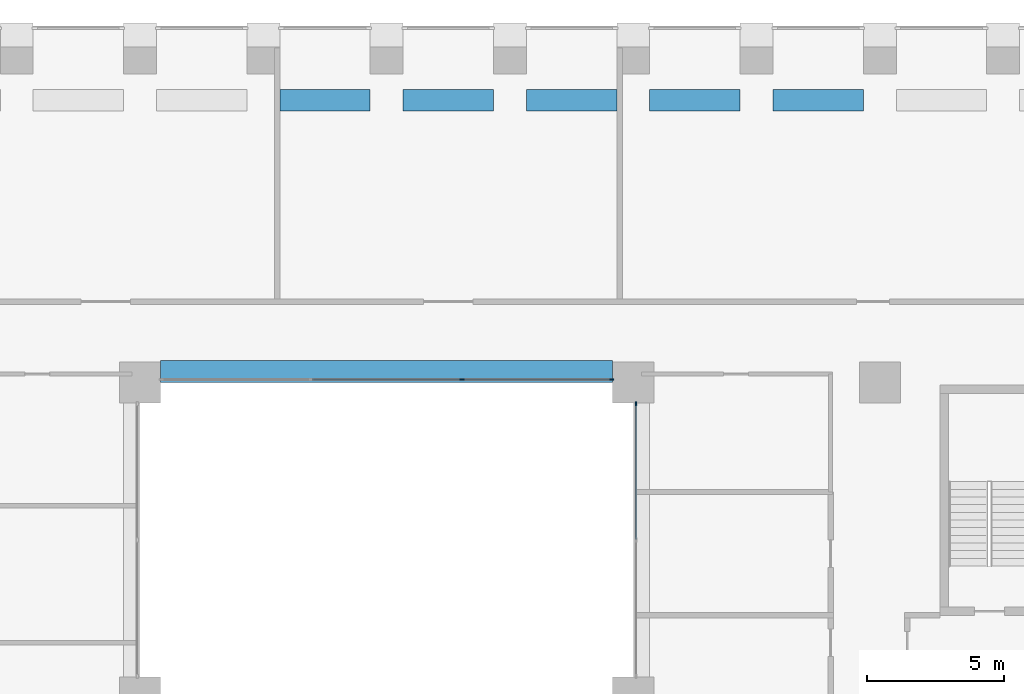
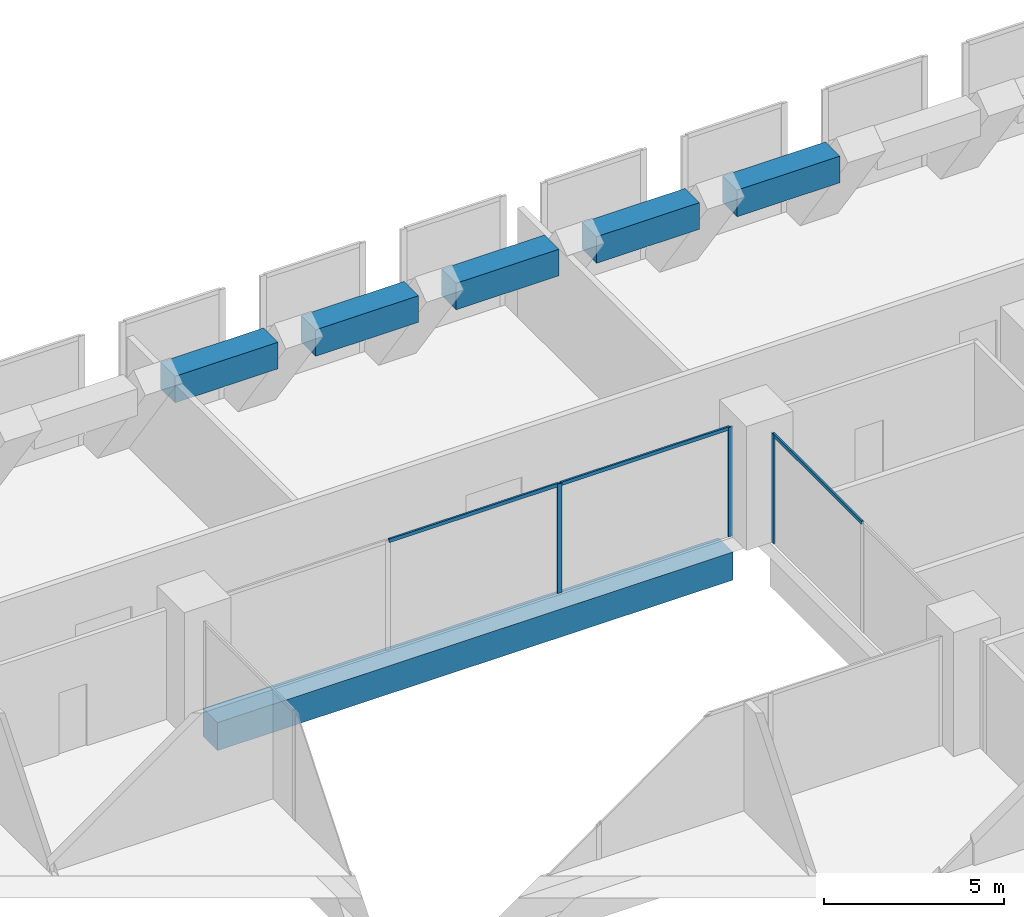
# One storey, part 8 of 20: 6 beams, 6 members, 2 elements without a shape of their own.
"""IFC4 building model written with IfcOpenShell, lengths in metres."""

from ifc_helpers import new_model, si_unit, direction, frame, origin, origin_2d, place, context, subcontext, project, spatial, rectangle, extrude, material, layer, layer_set, material_profile, profile_set, type_object, element, aggregate, save


model = new_model("IFC4")

# Units and contexts
model_context = context("Model", 3, precision=1e-05, world=origin(), true_north=direction((0.0, 1.0)))
body_context = subcontext(model_context, "Body", "Model", "MODEL_VIEW")
ifc_project = project(units=[si_unit("LENGTHUNIT", "METRE"), si_unit("AREAUNIT", "SQUARE_METRE"), si_unit("VOLUMEUNIT", "CUBIC_METRE"), si_unit("PLANEANGLEUNIT", "RADIAN"), si_unit("MASSUNIT", "GRAM", prefix="KILO")], contexts=[model_context])

# Site, building, storey
site_placement = place(None, origin())
site = spatial("IfcSite", under=ifc_project, at=site_placement, CompositionType="ELEMENT")
building_placement = place(site_placement, origin())
building = spatial("IfcBuilding", under=site, at=building_placement, Name="Brigalow Station Residences", CompositionType="ELEMENT")
storey_placement = place(building_placement, frame((0.0, 0.0, 73.050048828125)))
storey = spatial("IfcBuildingStorey", under=building, at=storey_placement, Name="L21", CompositionType="ELEMENT", Elevation=73.050048828125)

# Beam
ifc_material_1 = material(Name="Concrete C65", Category="concrete")
ifc_material_profile_1 = material_profile(ifc_material_1, rectangle(XDim=0.800048828125, YDim=0.949951171875, at=origin_2d()), Name="RC800x950")
ifc_profile_set_1 = profile_set([ifc_material_profile_1], Name="Concrete C65")
beam_type_1 = type_object("IfcBeamType", Name="ATRIUM EDGE GIRDER OVER 13.5 M SPAN 800x950 C65", PredefinedType="BEAM", material=ifc_profile_set_1)
beam_placement = place(storey_placement, frame((27.75, 35.89990234375, -0.97509765625), z_axis=(1.0, 0.0, 0.0), x_axis=(0.0, 1.0, 0.0)))
element("IfcBeam", 1, at=beam_placement, inside=storey, type_object=beam_type_1, Name="ATRIUM EDGE GIRDER D L21", PredefinedType="BEAM", context=body_context, shape_type="SweptSolid", body=[
    extrude(rectangle(XDim=0.800048828125, YDim=0.949951171875, at=origin_2d()), origin(), (0.0, 0.0, 1.0), 16.5),
])

# Curtain wall, member
ifc_material_2 = material(Name="Aluminium", Category="aluminium")
ifc_layer = layer(ifc_material_2, 0.14990234375)
ifc_layer_set = layer_set([ifc_layer], Name="ATRIUM FIRE-RATED GLAZING CURTAIN WALL")
curtain_wall_type = type_object("IfcCurtainWallType", Name="ATRIUM FIRE-RATED GLAZING CURTAIN WALL", PredefinedType="NOTDEFINED", material=ifc_layer_set)
curtain_wall_1_placement = place(storey_placement, origin())
curtain_wall_1 = element("IfcCurtainWall", 2, at=curtain_wall_1_placement, inside=storey, type_object=curtain_wall_type, Name="L21/cw/atrium-E", PredefinedType="NOTDEFINED")
ifc_material_3 = material(Name="Aluminium", Category="aluminium")
ifc_material_profile_2 = material_profile(ifc_material_3, rectangle(XDim=0.06005859375, YDim=0.14990234375, at=origin_2d()), Name="ATRIUM FIRE-RATED GLAZING MULLION 60x150")
ifc_profile_set_2 = profile_set([ifc_material_profile_2], Name="Aluminium")
member_type_1 = type_object("IfcMemberType", Name="ATRIUM FIRE-RATED GLAZING MULLION 60x150", PredefinedType="MULLION", material=ifc_profile_set_2)
member_1_placement = place(storey_placement, frame((45.10009765625, 34.719970703125, 0.0), z_axis=(0.0, 0.0, 1.0), x_axis=(-1.0, 0.0, 0.0)))
member_1 = element("IfcMember", 3, at=member_1_placement, type_object=member_type_1, Name="L21/cw/atrium-E/M02", PredefinedType="MULLION", context=body_context, shape_type="SweptSolid", body=[
    extrude(rectangle(XDim=0.06005859375, YDim=0.14990234375, at=origin_2d()), origin(), (0.0, 0.0, 1.0), 3.699951171875),
])

# Curtain wall, members
curtain_wall_2_placement = place(storey_placement, origin())
curtain_wall_2 = element("IfcCurtainWall", 4, at=curtain_wall_2_placement, inside=storey, type_object=curtain_wall_type, Name="L21/cw/atrium-N", PredefinedType="NOTDEFINED")
member_2_placement = place(storey_placement, frame((44.219970703125, 35.60009765625, 0.0), z_axis=(0.0, 0.0, 1.0), x_axis=(0.0, -1.0, 0.0)))
member_2 = element("IfcMember", 5, at=member_2_placement, type_object=member_type_1, Name="L21/cw/atrium-N/M00", PredefinedType="MULLION", context=body_context, shape_type="SweptSolid", body=[
    extrude(rectangle(XDim=0.06005859375, YDim=0.14990234375, at=origin_2d()), origin(), (0.0, 0.0, 1.0), 3.699951171875),
])
member_3_placement = place(storey_placement, frame((38.75, 35.60009765625, 0.0), z_axis=(0.0, 0.0, 1.0), x_axis=(0.0, -1.0, 0.0)))
member_3 = element("IfcMember", 6, at=member_3_placement, type_object=member_type_1, Name="L21/cw/atrium-N/M01", PredefinedType="MULLION", context=body_context, shape_type="SweptSolid", body=[
    extrude(rectangle(XDim=0.06005859375, YDim=0.14990234375, at=origin_2d()), origin(), (0.0, 0.0, 1.0), 3.699951171875),
])

# Member
ifc_material_4 = material(Name="Aluminium", Category="aluminium")
ifc_material_profile_3 = material_profile(ifc_material_4, rectangle(XDim=0.06005859375, YDim=0.1201171875, at=origin_2d()), Name="ATRIUM FIRE-RATED GLAZING TRANSOM 60x120")
ifc_profile_set_3 = profile_set([ifc_material_profile_3], Name="Aluminium")
member_type_2 = type_object("IfcMemberType", Name="ATRIUM FIRE-RATED GLAZING TRANSOM 60x120", PredefinedType="USERDEFINED", material=ifc_profile_set_3)
member_4_placement = place(storey_placement, frame((45.10009765625, 29.780029296875, 3.669921875), z_axis=(0.0, 1.0, 0.0), x_axis=(-1.0, 0.0, 0.0)))
member_4 = element("IfcMember", 7, at=member_4_placement, type_object=member_type_2, Name="L21/cw/atrium-E/T01-00", ObjectType="TRANSOM", PredefinedType="USERDEFINED", context=body_context, shape_type="SweptSolid", body=[
    extrude(rectangle(XDim=0.06005859375, YDim=0.1201171875, at=origin_2d()), origin(), (0.0, 0.0, 1.0), 4.909912109375),
])

aggregate(curtain_wall_1, [member_1, member_4])

member_5_placement = place(storey_placement, frame((44.18994140625, 35.60009765625, 3.669921875), z_axis=(-1.0, 0.0, 0.0), x_axis=(0.0, -1.0, 0.0)))
member_5 = element("IfcMember", 8, at=member_5_placement, type_object=member_type_2, Name="L21/cw/atrium-N/T00-00", ObjectType="TRANSOM", PredefinedType="USERDEFINED", context=body_context, shape_type="SweptSolid", body=[
    extrude(rectangle(XDim=0.06005859375, YDim=0.1201171875, at=origin_2d()), origin(), (0.0, 0.0, 1.0), 5.409912109375),
])

member_6_placement = place(storey_placement, frame((38.719970703125, 35.60009765625, 3.669921875), z_axis=(-1.0, 0.0, 0.0), x_axis=(0.0, -1.0, 0.0)))
member_6 = element("IfcMember", 9, at=member_6_placement, type_object=member_type_2, Name="L21/cw/atrium-N/T01-00", ObjectType="TRANSOM", PredefinedType="USERDEFINED", context=body_context, shape_type="SweptSolid", body=[
    extrude(rectangle(XDim=0.06005859375, YDim=0.1201171875, at=origin_2d()), origin(), (0.0, 0.0, 1.0), 5.43994140625),
])

aggregate(curtain_wall_2, [member_2, member_3, member_5, member_6])

# Beams
ifc_material_5 = material(Name="Concrete C65", Category="concrete")
ifc_material_profile_4 = material_profile(ifc_material_5, rectangle(XDim=0.800048828125, YDim=0.89990234375, at=origin_2d()), Name="RC800x900")
ifc_profile_set_4 = profile_set([ifc_material_profile_4], Name="Concrete C65")
beam_type_2 = type_object("IfcBeamType", Name="KINK TIE BEAM 800x900 C65", PredefinedType="BEAM", material=ifc_profile_set_4)
for number, where, z_axis, x_axis, name in (
    (10, (53.39990234375, 45.7978515625, 3.25), (-1.0, 0.0, 0.0), (0.0, -1.0, 0.0), "KINK TIE BEAM 24 L21"),
    (11, (48.89990234375, 45.7978515625, 3.25), (-1.0, 0.0, 0.0), (0.0, -1.0, 0.0), "KINK TIE BEAM 25 L21"),
    (12, (44.39990234375, 45.7978515625, 3.25), (-1.0, 0.0, 0.0), (0.0, -1.0, 0.0), "KINK TIE BEAM 26 L21"),
    (13, (39.89990234375, 45.7978515625, 3.25), (-1.0, 0.0, 0.0), (0.0, -1.0, 0.0), "KINK TIE BEAM 27 L21"),
    (14, (35.39990234375, 45.7978515625, 3.25), (-1.0, 0.0, 0.0), (0.0, -1.0, 0.0), "KINK TIE BEAM 28 L21"),
):
    element("IfcBeam", number, at=place(storey_placement, frame(where, z_axis=z_axis, x_axis=x_axis)), inside=storey, type_object=beam_type_2, Name=name, PredefinedType="BEAM", context=body_context, shape_type="SweptSolid", body=[
        extrude(rectangle(XDim=0.800048828125, YDim=0.89990234375, at=origin_2d()), origin(), (0.0, 0.0, 1.0), 3.2998046875),
    ])

save(model, "model.ifc")
